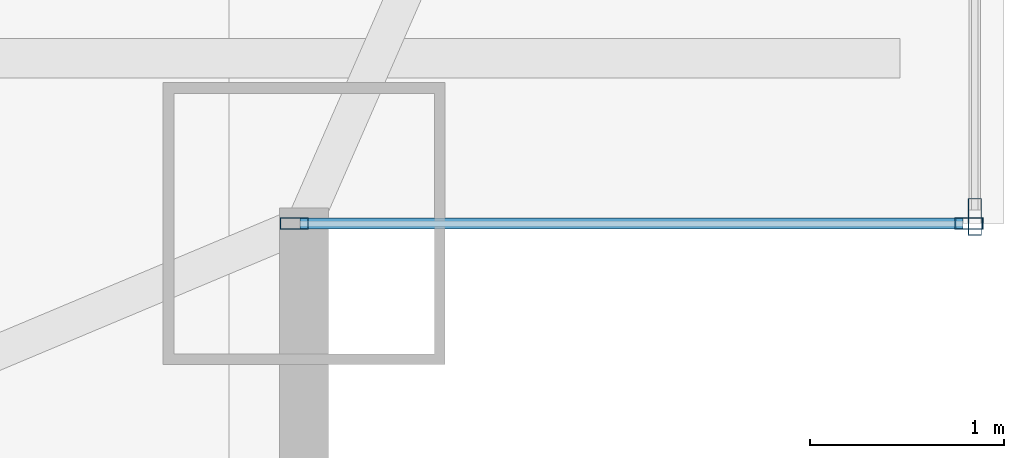
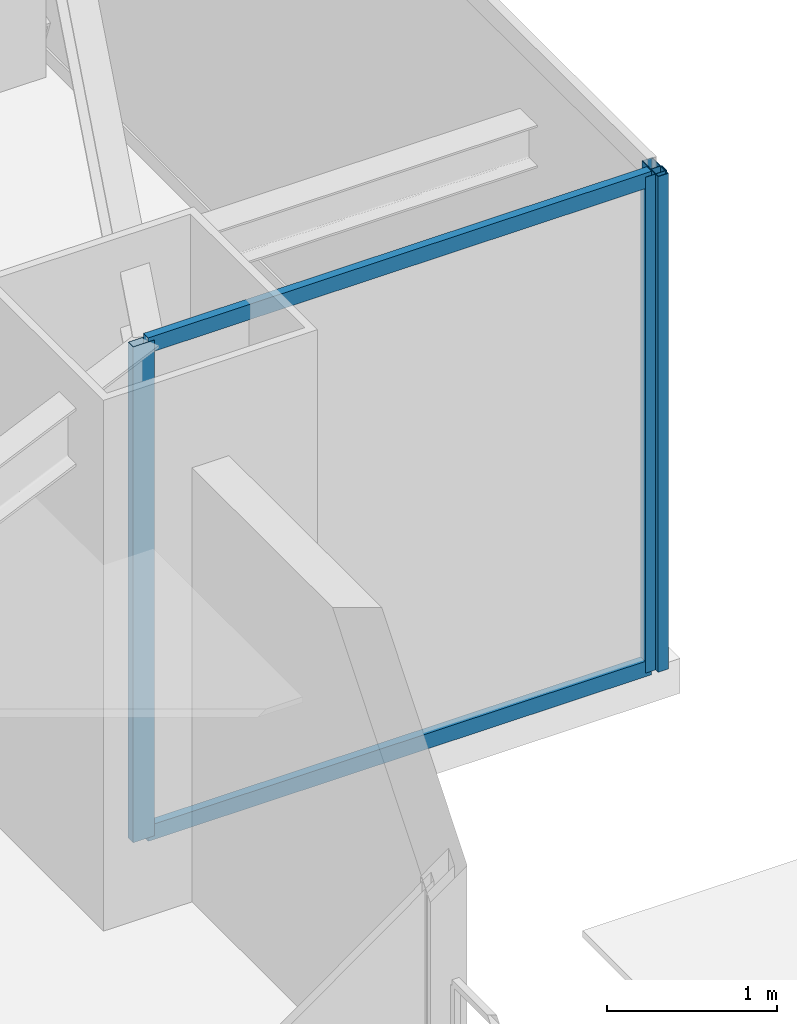
# One storey, part 16 of 35: 5 members, 2 elements without a shape of their own.
"""IFC4 building model written with IfcOpenShell, lengths in metres."""

from ifc_helpers import new_model, si_unit, direction, frame, origin, origin_2d, place, context, subcontext, project, spatial, hollow_rectangle, extrude, source, transform, mapped, material, layer, layer_set, material_profile, profile_set, type_object, type_shapes, element, aggregate, save


model = new_model("IFC4")

# Units and contexts
model_context = context("Model", 3, precision=1e-05, world=origin(), true_north=direction((0.0, 1.0)))
body_context = subcontext(model_context, "Body", "Model", "MODEL_VIEW")
ifc_project = project(units=[si_unit("LENGTHUNIT", "METRE"), si_unit("AREAUNIT", "SQUARE_METRE"), si_unit("VOLUMEUNIT", "CUBIC_METRE"), si_unit("PLANEANGLEUNIT", "RADIAN"), si_unit("MASSUNIT", "GRAM", prefix="KILO")], contexts=[model_context])

# Site, building, storey
site_placement = place(None, origin())
site = spatial("IfcSite", under=ifc_project, at=site_placement, CompositionType="ELEMENT")
building_placement = place(site_placement, origin())
building = spatial("IfcBuilding", under=site, at=building_placement, Name="Varnel Quay Broadcast Tower", CompositionType="ELEMENT")
storey_placement = place(building_placement, frame((0.0, 0.0, 87.0)))
storey = spatial("IfcBuildingStorey", under=building, at=storey_placement, Name="L20", CompositionType="ELEMENT", Elevation=87.0)

# Curtain wall, members
ifc_material = material(Name="Anodised Bronze Aluminium 6063-T6", Category="aluminium")
ifc_layer_1 = layer(ifc_material, 0.18994140625, Name="Anodised Bronze Aluminium 6063-T6")
ifc_layer_set_1 = layer_set([ifc_layer_1], Name="Anodised Bronze Aluminium 6063-T6")
curtain_wall_type_1 = type_object("IfcCurtainWallType", Name="CW_NotchCorner", PredefinedType="NOTDEFINED", material=ifc_layer_set_1)
curtain_wall_1_placement = place(storey_placement, origin())
curtain_wall_1 = element("IfcCurtainWall", 1, at=curtain_wall_1_placement, inside=storey, type_object=curtain_wall_type_1, Name="L20 SE Notch Curtain Wall", PredefinedType="NOTDEFINED")
ifc_material_profile_1 = material_profile(ifc_material, hollow_rectangle(XDim=0.054931640625, YDim=0.110107421875, WallThickness=0.0029296875, at=origin_2d()), Name="ALU55X110X3")
ifc_profile_set_1 = profile_set([ifc_material_profile_1], Name="Anodised Bronze Aluminium 6063-T6")
member_type_1 = type_object("IfcMemberType", Name="Tran_CWS-04", PredefinedType="USERDEFINED", material=ifc_profile_set_1)
shared_shape_1 = source(origin(), body_context, "Body", "SweptSolid", [
    extrude(hollow_rectangle(XDim=0.054931640625, YDim=0.110107421875, WallThickness=0.0029296875, at=origin_2d()), origin(), (0.0, 0.0, 1.0), 3.41015625),
])
type_shapes(member_type_1, [shared_shape_1])
member_1_placement = place(storey_placement, frame((59.8798828125, 7.800048828125, 0.027587890625), z_axis=(1.0, 0.0, 0.0), x_axis=(0.0, 1.0, 0.0)))
member_1 = element("IfcMember", 2, at=member_1_placement, type_object=member_type_1, Name="CWS-04 transom 1.1", ObjectType="TRANSOM", PredefinedType="USERDEFINED", context=body_context, shape_type="MappedRepresentation", body=[
    mapped(shared_shape_1, transform((0.0, 0.0, 0.0), x_axis=(1.0, 0.0, 0.0), y_axis=(0.0, 1.0, 0.0), z_axis=(0.0, 0.0, 1.0), scale=1.0)),
])
member_2_placement = place(storey_placement, frame((59.8798828125, 7.800048828125, 3.5224609375), z_axis=(1.0, 0.0, 0.0), x_axis=(0.0, 1.0, 0.0)))
member_2 = element("IfcMember", 3, at=member_2_placement, type_object=member_type_1, Name="CWS-04 transom 1.2", ObjectType="TRANSOM", PredefinedType="USERDEFINED", context=body_context, shape_type="MappedRepresentation", body=[
    mapped(shared_shape_1, transform((0.0, 0.0, 0.0), x_axis=(1.0, 0.0, 0.0), y_axis=(0.0, 1.0, 0.0), z_axis=(0.0, 0.0, 1.0), scale=1.0)),
])

# Curtain wall, member
ifc_layer_2 = layer(ifc_material, 0.18994140625, Name="Anodised Bronze Aluminium 6063-T6")
ifc_layer_set_2 = layer_set([ifc_layer_2], Name="Anodised Bronze Aluminium 6063-T6")
curtain_wall_type_2 = type_object("IfcCurtainWallType", Name="CW_LowerTower", PredefinedType="NOTDEFINED", material=ifc_layer_set_2)
curtain_wall_2_placement = place(storey_placement, origin())
curtain_wall_2 = element("IfcCurtainWall", 4, at=curtain_wall_2_placement, inside=storey, type_object=curtain_wall_type_2, Name="L20 East Unitised Curtain Wall", PredefinedType="NOTDEFINED")
ifc_material_profile_2 = material_profile(ifc_material, hollow_rectangle(XDim=0.070068359375, YDim=0.18994140625, WallThickness=0.00390625, at=origin_2d()), Name="ALU70X190X4")
ifc_profile_set_2 = profile_set([ifc_material_profile_2], Name="Anodised Bronze Aluminium 6063-T6")
member_type_2 = type_object("IfcMemberType", Name="Mull_CWS-02", PredefinedType="MULLION", material=ifc_profile_set_2)
shared_shape_2 = source(origin(), body_context, "Body", "SweptSolid", [
    extrude(hollow_rectangle(XDim=0.070068359375, YDim=0.18994140625, WallThickness=0.00390625, at=origin_2d()), origin(), (0.0, 0.0, 1.0), 3.550048828125),
])
type_shapes(member_type_2, [shared_shape_2])
member_3_placement = place(storey_placement, frame((63.35009765625, 7.8349609375, 0.0), z_axis=(0.0, 0.0, 1.0), x_axis=(-1.0, 0.0, 0.0)))
member_3 = element("IfcMember", 5, at=member_3_placement, type_object=member_type_2, Name="CWS-02 mullion 1", PredefinedType="MULLION", context=body_context, shape_type="MappedRepresentation", body=[
    mapped(shared_shape_2, transform((0.0, 0.0, 0.0), x_axis=(1.0, 0.0, 0.0), y_axis=(0.0, 1.0, 0.0), z_axis=(0.0, 0.0, 1.0), scale=1.0)),
])
aggregate(curtain_wall_2, [member_3])

# Member
ifc_material_profile_3 = material_profile(ifc_material, hollow_rectangle(XDim=0.06005859375, YDim=0.14501953125, WallThickness=0.00341796875, at=origin_2d()), Name="ALU60X145X3.5")
ifc_profile_set_3 = profile_set([ifc_material_profile_3], Name="Anodised Bronze Aluminium 6063-T6")
member_type_3 = type_object("IfcMemberType", Name="Mull_CWS-04", PredefinedType="MULLION", material=ifc_profile_set_3)
shared_shape_3 = source(origin(), body_context, "Body", "SweptSolid", [
    extrude(hollow_rectangle(XDim=0.06005859375, YDim=0.14501953125, WallThickness=0.00341796875, at=origin_2d()), origin(), (0.0, 0.0, 1.0), 3.550048828125),
])
type_shapes(member_type_3, [shared_shape_3])
member_4_placement = place(storey_placement, frame((59.85009765625, 7.800048828125, 0.0), z_axis=(0.0, 0.0, 1.0), x_axis=(0.0, 1.0, 0.0)))
member_4 = element("IfcMember", 6, at=member_4_placement, type_object=member_type_3, Name="CWS-04 mullion 1", PredefinedType="MULLION", context=body_context, shape_type="MappedRepresentation", body=[
    mapped(shared_shape_3, transform((0.0, 0.0, 0.0), x_axis=(1.0, 0.0, 0.0), y_axis=(0.0, 1.0, 0.0), z_axis=(0.0, 0.0, 1.0), scale=1.0)),
])

member_5_placement = place(storey_placement, frame((63.320068359375, 7.800048828125, 0.0), z_axis=(0.0, 0.0, 1.0), x_axis=(0.0, 1.0, 0.0)))
member_5 = element("IfcMember", 7, at=member_5_placement, type_object=member_type_3, Name="CWS-04 mullion 2", PredefinedType="MULLION", context=body_context, shape_type="MappedRepresentation", body=[
    mapped(shared_shape_3, transform((0.0, 0.0, 0.0), x_axis=(1.0, 0.0, 0.0), y_axis=(0.0, 1.0, 0.0), z_axis=(0.0, 0.0, 1.0), scale=1.0)),
])

aggregate(curtain_wall_1, [member_4, member_5, member_1, member_2])

save(model, "model.ifc")
